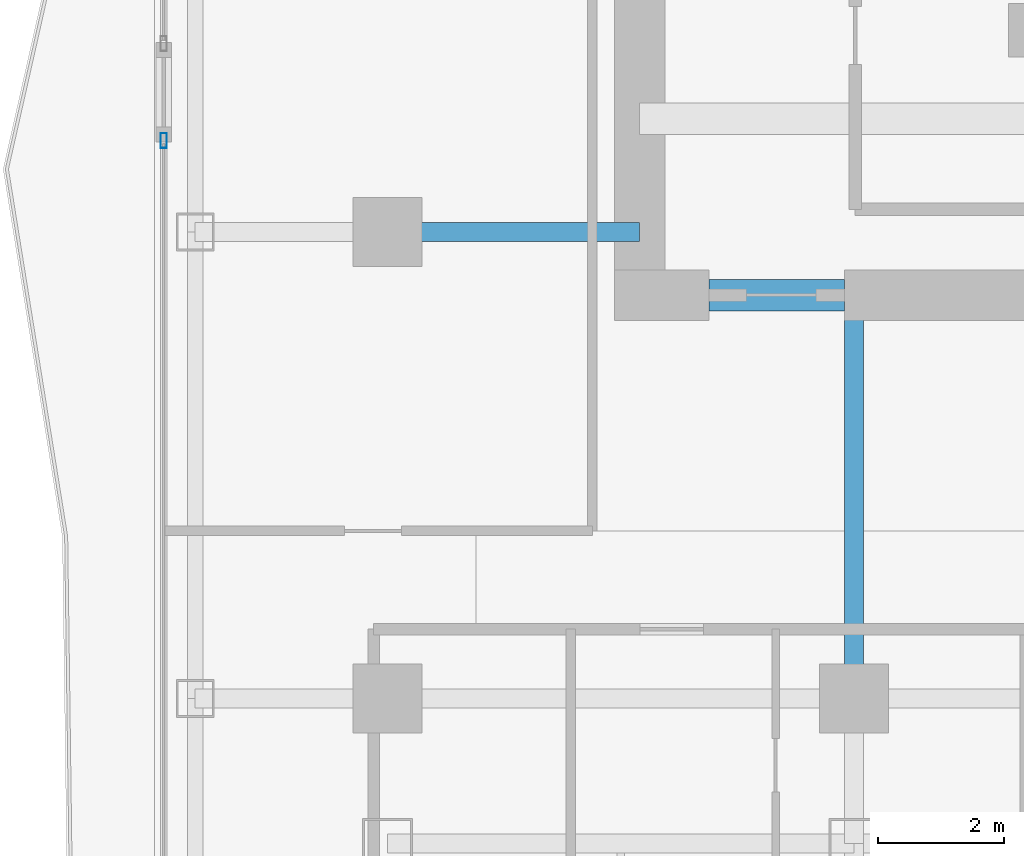
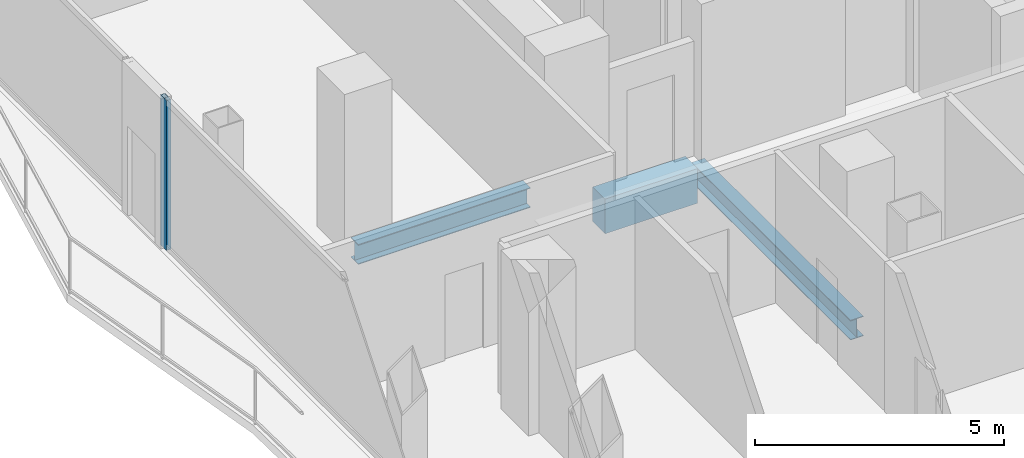
# One storey, part 6 of 27: 3 beams, 1 member, 1 element without a shape of its own.
"""IFC4 building model written with IfcOpenShell, lengths in metres."""

from ifc_helpers import new_model, si_unit, direction, frame, origin, origin_2d, place, context, subcontext, project, spatial, rectangle, hollow_rectangle, i_section, extrude, material, layer, layer_set, material_profile, profile_set, type_object, element, aggregate, save


model = new_model("IFC4")

# Units and contexts
model_context = context("Model", 3, precision=1e-05, world=origin(), true_north=direction((0.0, 1.0)))
body_context = subcontext(model_context, "Body", "Model", "MODEL_VIEW")
ifc_project = project(units=[si_unit("LENGTHUNIT", "METRE"), si_unit("AREAUNIT", "SQUARE_METRE"), si_unit("VOLUMEUNIT", "CUBIC_METRE"), si_unit("PLANEANGLEUNIT", "RADIAN"), si_unit("MASSUNIT", "GRAM", prefix="KILO")], contexts=[model_context])

# Site, building, storey
site_placement = place(None, origin())
site = spatial("IfcSite", under=ifc_project, at=site_placement, CompositionType="ELEMENT")
building_placement = place(site_placement, origin())
building = spatial("IfcBuilding", under=site, at=building_placement, Name="Khorvyn Point Tower", CompositionType="ELEMENT")
storey_placement = place(building_placement, frame((0.0, 0.0, 227.39990234375)))
storey = spatial("IfcBuildingStorey", under=building, at=storey_placement, Name="L56", CompositionType="ELEMENT", Elevation=227.39990234375)

# Curtain wall, member
ifc_material_1 = material(Name="Anodised aluminium 6063-T6 and laminated Low-E glass", Category="aluminium")
ifc_layer = layer(ifc_material_1, 0.18994140625)
ifc_layer_set = layer_set([ifc_layer], Name="Stick-Built Acoustic Curtain Wall CW-SYS-03")
curtain_wall_type = type_object("IfcCurtainWallType", Name="Stick-Built Acoustic Curtain Wall CW-SYS-03", PredefinedType="NOTDEFINED", material=ifc_layer_set)
curtain_wall_placement = place(storey_placement, origin())
curtain_wall = element("IfcCurtainWall", 1, at=curtain_wall_placement, inside=storey, type_object=curtain_wall_type, Name="Curtain Wall", PredefinedType="NOTDEFINED")
ifc_material_2 = material(Name="Anodised aluminium 6063-T6", Category="aluminium")
ifc_material_profile_1 = material_profile(ifc_material_2, hollow_rectangle(XDim=0.10009765625, YDim=0.239990234375, WallThickness=0.0048828125, at=origin_2d()))
ifc_profile_set_1 = profile_set([ifc_material_profile_1], Name="Anodised aluminium 6063-T6 ALU-MUL-100x240")
member_type = type_object("IfcMemberType", Name="Anodised Aluminium 6063-T6 Mullion ALU-MUL-100x240", PredefinedType="MULLION", material=ifc_profile_set_1)
member_placement = place(storey_placement, frame((-18.35009765625, -5.949951171875, 0.0), z_axis=(0.0, 0.0, 1.0), x_axis=(-1.0, 0.0, 0.0)))
member = element("IfcMember", 2, at=member_placement, type_object=member_type, Name="Transom", PredefinedType="MULLION", context=body_context, shape_type="SweptSolid", body=[
    extrude(hollow_rectangle(XDim=0.10009765625, YDim=0.239990234375, WallThickness=0.0048828125, at=origin_2d()), origin(), (0.0, 0.0, 1.0), 3.68017578125),
])
aggregate(curtain_wall, [member])

# Beams
ifc_material_3 = material(Name="Concrete C45/55", Category="concrete")
ifc_material_profile_2 = material_profile(ifc_material_3, rectangle(XDim=0.5, YDim=0.85009765625, at=origin_2d()))
ifc_profile_set_2 = profile_set([ifc_material_profile_2], Name="Concrete C45/55 RC500x850")
beam_type_1 = type_object("IfcBeamType", Name="Concrete C45/55 Beam RC500x850", PredefinedType="BEAM", material=ifc_profile_set_2)
beam_1_placement = place(storey_placement, frame((-9.699951171875, -8.39990234375, -0.64501953125), z_axis=(1.0, 0.0, 0.0), x_axis=(0.0, 1.0, 0.0)))
element("IfcBeam", 3, at=beam_1_placement, inside=storey, type_object=beam_type_1, Name="L56 Core Southwest Portal Coupling Beam", PredefinedType="BEAM", context=body_context, shape_type="SweptSolid", body=[
    extrude(rectangle(XDim=0.5, YDim=0.85009765625, at=origin_2d()), origin(), (0.0, 0.0, 1.0), 2.14990234375),
])
ifc_material_4 = material(Name="Steel S355", Category="steel")
ifc_material_profile_3 = material_profile(ifc_material_4, i_section(OverallWidth=0.300048828125, OverallDepth=0.488037109375, WebThickness=0.010986328125, FlangeThickness=0.01806640625, at=origin_2d()))
ifc_profile_set_3 = profile_set([ifc_material_profile_3], Name="Steel S355 H488x300x11x18")
beam_type_2 = type_object("IfcBeamType", Name="Steel S355 Spandrel H488x300x11x18", PredefinedType="SPANDREL", material=ifc_profile_set_3)
beam_2_placement = place(storey_placement, frame((-14.800048828125, -7.39990234375, -0.4638671875), z_axis=(1.0, 0.0, 0.0), x_axis=(0.0, 1.0, 0.0)))
element("IfcBeam", 4, at=beam_2_placement, inside=storey, type_object=beam_type_2, Name="Beam", PredefinedType="SPANDREL", context=body_context, shape_type="SweptSolid", body=[
    extrude(i_section(OverallWidth=0.300048828125, OverallDepth=0.488037109375, WebThickness=0.010986328125, FlangeThickness=0.01806640625, at=origin_2d()), origin(), (0.0, 0.0, 1.0), 4.0),
])
beam_3_placement = place(storey_placement, frame((-7.39990234375, -14.800048828125, -0.4638671875), z_axis=(0.0, 1.0, 0.0), x_axis=(-1.0, 0.0, 0.0)))
element("IfcBeam", 5, at=beam_3_placement, inside=storey, type_object=beam_type_2, Name="Beam", PredefinedType="SPANDREL", context=body_context, shape_type="SweptSolid", body=[
    extrude(i_section(OverallWidth=0.300048828125, OverallDepth=0.488037109375, WebThickness=0.010986328125, FlangeThickness=0.01806640625, at=origin_2d()), origin(), (0.0, 0.0, 1.0), 6.400146484375),
])

save(model, "model.ifc")
